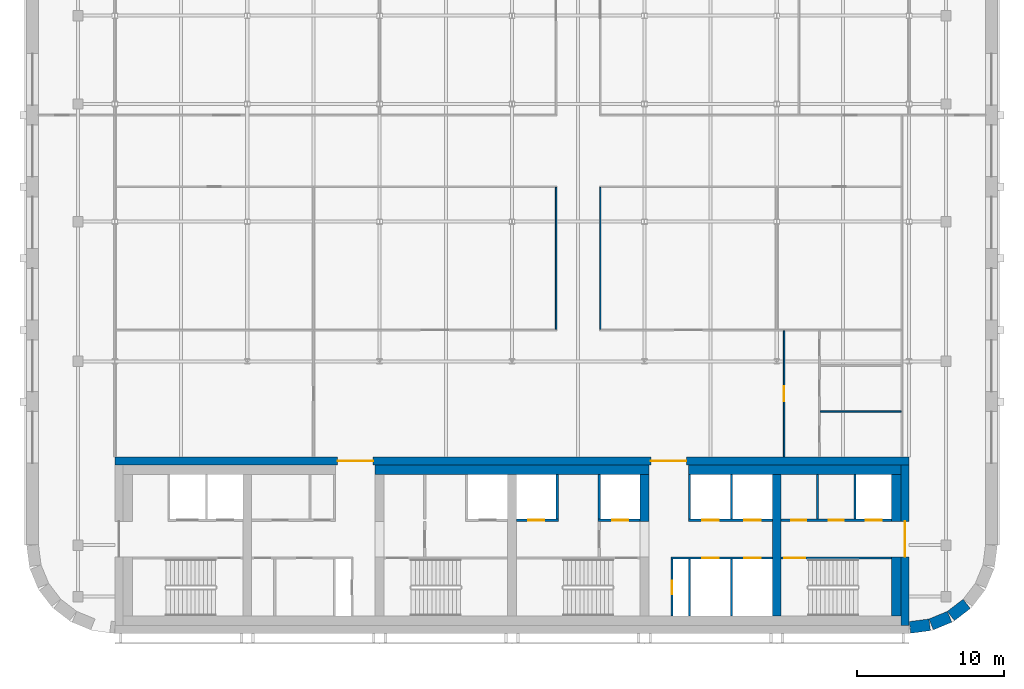
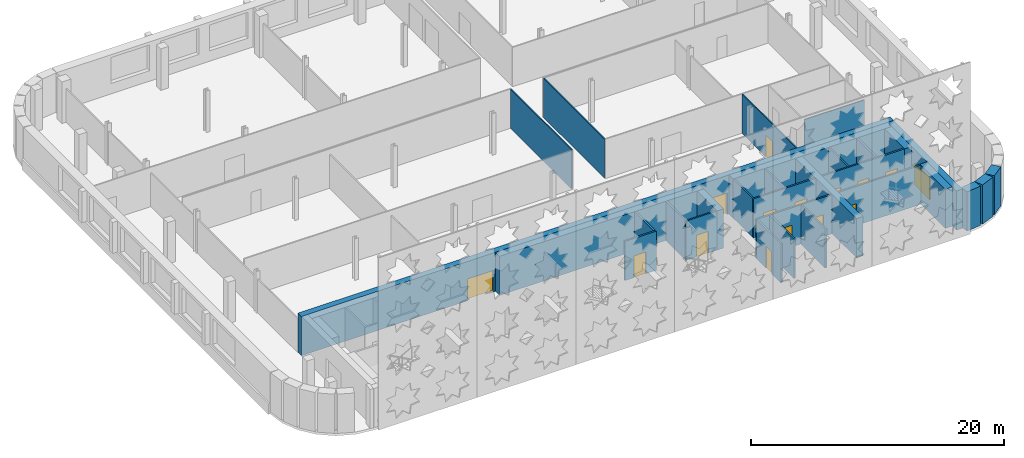
# One storey, part 8 of 14: 30 walls, 15 doors, 15 openings.
"""IFC4 building model written with IfcOpenShell, lengths in metres."""

from ifc_helpers import new_model, si_unit, direction, frame, frame_2d, origin, place, context, subcontext, project, spatial, rectangle, extrude, material, layer, layer_set, type_object, element, fill, save


model = new_model("IFC4")

# Units and contexts
model_context = context("Model", 3, precision=1e-05, world=origin(), true_north=direction((0.0, 1.0)))
body_context = subcontext(model_context, "Body", "Model", "MODEL_VIEW")
ifc_project = project(units=[si_unit("LENGTHUNIT", "METRE"), si_unit("AREAUNIT", "SQUARE_METRE"), si_unit("VOLUMEUNIT", "CUBIC_METRE"), si_unit("PLANEANGLEUNIT", "RADIAN"), si_unit("MASSUNIT", "GRAM", prefix="KILO")], contexts=[model_context])

# Site, building, storey
site_placement = place(None, origin())
site = spatial("IfcSite", under=ifc_project, at=site_placement, CompositionType="ELEMENT")
building_placement = place(site_placement, origin())
building = spatial("IfcBuilding", under=site, at=building_placement, Name="Zellij Exchange Tower", CompositionType="ELEMENT")
storey_placement = place(building_placement, frame((0.0, 0.0, 288.5)))
storey = spatial("IfcBuildingStorey", under=building, at=storey_placement, Name="L68", CompositionType="ELEMENT", Elevation=288.5)

# Walls
ifc_material_1 = material(Name="Concrete C50/60", Category="concrete")
ifc_layer_1 = layer(ifc_material_1, 0.60009765625)
ifc_layer_set_1 = layer_set([ifc_layer_1], Name="Concrete C50/60")
wall_type_1 = type_object("IfcWallType", Name="CORE-CW 600 C50/60", PredefinedType="SHEAR", material=ifc_layer_set_1)
wall_1_placement = place(storey_placement, frame((9.0, -6.375, 0.0), z_axis=(0.0, 0.0, 1.0), x_axis=(0.0, 1.0, 0.0)))
element("IfcWall", 1, at=wall_1_placement, inside=storey, type_object=wall_type_1, Name="Core cross wall pier x 9 b L68", PredefinedType="SHEAR", context=body_context, shape_type="SweptSolid", body=[
    extrude(rectangle(XDim=3.175048828125, YDim=0.60009765625, at=frame_2d((1.58740234375, 0.0))), origin(), (0.0, 0.0, 1.0), 3.780029296875),
])
wall_2_placement = place(storey_placement, frame((18.0, -12.800048828125, 0.0), z_axis=(0.0, 0.0, 1.0), x_axis=(0.0, 1.0, 0.0)))
element("IfcWall", 2, at=wall_2_placement, inside=storey, type_object=wall_type_1, Name="Core cross wall x 18 L68", PredefinedType="SHEAR", context=body_context, shape_type="SweptSolid", body=[
    extrude(rectangle(XDim=9.60009765625, YDim=0.60009765625, at=frame_2d((4.800048828125, 0.0))), origin(), (0.0, 0.0, 1.0), 3.780029296875),
])
ifc_material_2 = material(Name="Concrete C30/37", Category="concrete")
ifc_layer_2 = layer(ifc_material_2, 0.64990234375)
ifc_layer_set_2 = layer_set([ifc_layer_2], Name="Concrete C30/37")
wall_type_2 = type_object("IfcWallType", Name="CORE-LW 650 C30/37", PredefinedType="SHEAR", material=ifc_layer_set_2)
wall_3_placement = place(storey_placement, frame((-9.300048828125, -2.875, 0.0), z_axis=(0.0, 0.0, 1.0), x_axis=(1.0, 0.0, 0.0)))
element("IfcWall", 3, at=wall_3_placement, inside=storey, type_object=wall_type_2, Name="Core wall lining front.1 L68", PredefinedType="SHEAR", context=body_context, shape_type="SweptSolid", body=[
    extrude(rectangle(XDim=18.60009765625, YDim=0.64990234375, at=frame_2d((9.300048828125, 0.0))), origin(), (0.0, 0.0, 1.0), 3.780029296875),
])
wall_4_placement = place(storey_placement, frame((12.0, -2.875, 0.0), z_axis=(0.0, 0.0, 1.0), x_axis=(1.0, 0.0, 0.0)))
element("IfcWall", 4, at=wall_4_placement, inside=storey, type_object=wall_type_2, Name="Core wall lining front.2 L68", PredefinedType="SHEAR", context=body_context, shape_type="SweptSolid", body=[
    extrude(rectangle(XDim=14.449951171875, YDim=0.64990234375, at=frame_2d((7.22509765625, 0.0))), origin(), (0.0, 0.0, 1.0), 3.780029296875),
])
wall_5_placement = place(storey_placement, frame((26.125, -12.800048828125, 0.0), z_axis=(0.0, 0.0, 1.0), x_axis=(0.0, 1.0, 0.0)))
element("IfcWall", 5, at=wall_5_placement, inside=storey, type_object=wall_type_2, Name="Core wall lining end e.0 L68", PredefinedType="SHEAR", context=body_context, shape_type="SweptSolid", body=[
    extrude(rectangle(XDim=4.0, YDim=0.64990234375, at=frame_2d((2.0, 0.0))), origin(), (0.0, 0.0, 1.0), 3.780029296875),
])
wall_6_placement = place(storey_placement, frame((26.125, -6.375, 0.0), z_axis=(0.0, 0.0, 1.0), x_axis=(0.0, 1.0, 0.0)))
element("IfcWall", 6, at=wall_6_placement, inside=storey, type_object=wall_type_2, Name="Core wall lining end e.1 L68", PredefinedType="SHEAR", context=body_context, shape_type="SweptSolid", body=[
    extrude(rectangle(XDim=3.175048828125, YDim=0.64990234375, at=frame_2d((1.58740234375, 0.0))), origin(), (0.0, 0.0, 1.0), 3.780029296875),
])
ifc_material_3 = material(Name="Gypsum board partition")
ifc_layer_3 = layer(ifc_material_3, 0.14990234375)
ifc_layer_set_3 = layer_set([ifc_layer_3], Name="Gypsum board partition")
wall_type_3 = type_object("IfcWallType", Name="CORE-PW 150 Lift lobby wall", PredefinedType="PARTITIONING", material=ifc_layer_set_3)
wall_7_placement = place(storey_placement, frame((20.77490234375, -6.22509765625, 0.0), z_axis=(0.0, 0.0, 1.0), x_axis=(0.0, 1.0, 0.0)))
element("IfcWall", 7, at=wall_7_placement, inside=storey, type_object=wall_type_3, Name="Lift lobby wall L68", PredefinedType="PARTITIONING", context=body_context, shape_type="SweptSolid", body=[
    extrude(rectangle(XDim=3.025146484375, YDim=0.14990234375, at=frame_2d((1.5126953125, 0.0))), origin(), (0.0, 0.0, 1.0), 3.780029296875),
])

# Wall, opening, door
wall_8_placement = place(storey_placement, frame((10.875, -12.800048828125, 0.0), z_axis=(0.0, 0.0, 1.0), x_axis=(0.0, 1.0, 0.0)))
wall_8 = element("IfcWall", 8, at=wall_8_placement, inside=storey, type_object=wall_type_3, Name="Lift lobby wall L68", PredefinedType="PARTITIONING", context=body_context, shape_type="SweptSolid", body=[
    extrude(rectangle(XDim=3.85009765625, YDim=0.14990234375, at=frame_2d((1.925048828125, 0.0))), origin(), (0.0, 0.0, 1.0), 3.780029296875),
])
opening_1_placement = place(wall_8_placement, frame((1.47509765625, 0.0, 0.0)))
opening_1 = element("IfcOpeningElement", 9, at=opening_1_placement, cuts=wall_8, Name="Opening CA-35.19", PredefinedType="OPENING", context=body_context, shape_type="SweptSolid", body=[
    extrude(rectangle(XDim=0.89990234375, YDim=2.10009765625, at=frame_2d((0.449951171875, 1.050048828125))), frame((0.0, 0.0869140625, 0.0), z_axis=(0.0, -1.0, 0.0), x_axis=(1.0, 0.0, 0.0)), (0.0, 0.0, 1.0), 0.173828125),
])
ifc_material_4 = material(Name="Hollow metal fire door")
door_type_1 = type_object("IfcDoorType", Name="CORE-D RD Riser door 900x2100 1.5 HR", OperationType="NOTDEFINED", PredefinedType="DOOR", material=ifc_material_4)
door_1_placement = place(opening_1_placement, origin())
door_1 = element("IfcDoor", 10, at=door_1_placement, inside=storey, type_object=door_type_1, Name="Riser door CA-35.19", OperationType="SINGLE_SWING_LEFT", OverallHeight=2.10009765625, OverallWidth=0.89990234375, PredefinedType="DOOR", context=body_context, shape_type="SweptSolid", body=[
    extrude(rectangle(XDim=0.89990234375, YDim=2.10009765625, at=frame_2d((0.449951171875, 1.050048828125))), frame((0.0, 0.02490234375, 0.0), z_axis=(0.0, -1.0, 0.0), x_axis=(1.0, 0.0, 0.0)), (0.0, 0.0, 1.0), 0.050048828125),
])
fill(opening_1, door_1)

# Walls
ifc_material_5 = material(Name="Gypsum shaft wall system")
ifc_layer_4 = layer(ifc_material_5, 0.14990234375)
ifc_layer_set_4 = layer_set([ifc_layer_4], Name="Gypsum shaft wall system")
wall_type_4 = type_object("IfcWallType", Name="CORE-PW 150 Lift shaft wall", PredefinedType="PARTITIONING", material=ifc_layer_set_4)
for number, where, z_axis, x_axis, name in (
    (11, (3.074951171875, -6.22509765625, 0.0), (0.0, 0.0, 1.0), (0.0, 1.0, 0.0), "Lift shaft wall L68"),
    (12, (5.925048828125, -6.22509765625, 0.0), (0.0, 0.0, 1.0), (0.0, 1.0, 0.0), "Lift shaft wall L68"),
    (13, (12.074951171875, -6.22509765625, 0.0), (0.0, 0.0, 1.0), (0.0, 1.0, 0.0), "Lift shaft wall L68"),
    (14, (14.925048828125, -6.22509765625, 0.0), (0.0, 0.0, 1.0), (0.0, 1.0, 0.0), "Lift shaft wall L68"),
    (15, (23.324951171875, -6.22509765625, 0.0), (0.0, 0.0, 1.0), (0.0, 1.0, 0.0), "Lift shaft wall L68"),
):
    element("IfcWall", number, at=place(storey_placement, frame(where, z_axis=z_axis, x_axis=x_axis)), inside=storey, type_object=wall_type_4, Name=name, PredefinedType="PARTITIONING", context=body_context, shape_type="SweptSolid", body=[
        extrude(rectangle(XDim=3.025146484375, YDim=0.14990234375, at=frame_2d((1.5126953125, 0.0))), origin(), (0.0, 0.0, 1.0), 3.780029296875),
    ])
for number, where, z_axis, x_axis, name in (
    (16, (12.074951171875, -12.800048828125, 0.0), (0.0, 0.0, 1.0), (0.0, 1.0, 0.0), "Lift shaft wall L68"),
    (17, (14.925048828125, -12.800048828125, 0.0), (0.0, 0.0, 1.0), (0.0, 1.0, 0.0), "Lift shaft wall L68"),
):
    element("IfcWall", number, at=place(storey_placement, frame(where, z_axis=z_axis, x_axis=x_axis)), inside=storey, type_object=wall_type_4, Name=name, PredefinedType="PARTITIONING", context=body_context, shape_type="SweptSolid", body=[
        extrude(rectangle(XDim=3.85009765625, YDim=0.14990234375, at=frame_2d((1.925048828125, 0.0))), origin(), (0.0, 0.0, 1.0), 3.780029296875),
    ])

# Wall, opening, door
wall_9_placement = place(storey_placement, frame((0.300048828125, -6.300048828125, 0.0), z_axis=(0.0, 0.0, 1.0), x_axis=(1.0, 0.0, 0.0)))
wall_9 = element("IfcWall", 18, at=wall_9_placement, inside=storey, type_object=wall_type_4, Name="Lift shaft wall L68", PredefinedType="PARTITIONING", context=body_context, shape_type="SweptSolid", body=[
    extrude(rectangle(XDim=2.849853515625, YDim=0.14990234375, at=frame_2d((1.4248046875, 0.0))), origin(), (0.0, 0.0, 1.0), 3.780029296875),
])
opening_2_placement = place(wall_9_placement, frame((0.800048828125, 0.0, 0.0)))
opening_2 = element("IfcOpeningElement", 19, at=opening_2_placement, cuts=wall_9, Name="Opening CA-35.14", PredefinedType="OPENING", context=body_context, shape_type="SweptSolid", body=[
    extrude(rectangle(XDim=1.10009765625, YDim=2.10009765625, at=frame_2d((0.550048828125, 1.050048828125))), frame((0.0, 0.0869140625, 0.0), z_axis=(0.0, -1.0, 0.0), x_axis=(1.0, 0.0, 0.0)), (0.0, 0.0, 1.0), 0.173828125),
])
door_type_2 = type_object("IfcDoorType", Name="CORE-D LD Lift landing door 1100x2100 1.5 HR", OperationType="NOTDEFINED", PredefinedType="DOOR", material=ifc_material_4)
door_2_placement = place(opening_2_placement, origin())
door_2 = element("IfcDoor", 20, at=door_2_placement, inside=storey, type_object=door_type_2, Name="Lift landing door CA-35.14", OperationType="SLIDING_TO_RIGHT", OverallHeight=2.10009765625, OverallWidth=1.10009765625, PredefinedType="DOOR", context=body_context, shape_type="SweptSolid", body=[
    extrude(rectangle(XDim=1.10009765625, YDim=2.10009765625, at=frame_2d((0.550048828125, 1.050048828125))), frame((0.0, 0.02490234375, 0.0), z_axis=(0.0, -1.0, 0.0), x_axis=(1.0, 0.0, 0.0)), (0.0, 0.0, 1.0), 0.050048828125),
])
fill(opening_2, door_2)

wall_10_placement = place(storey_placement, frame((5.85009765625, -6.300048828125, 0.0), z_axis=(0.0, 0.0, 1.0), x_axis=(1.0, 0.0, 0.0)))
wall_10 = element("IfcWall", 21, at=wall_10_placement, inside=storey, type_object=wall_type_4, Name="Lift shaft wall L68", PredefinedType="PARTITIONING", context=body_context, shape_type="SweptSolid", body=[
    extrude(rectangle(XDim=2.849853515625, YDim=0.14990234375, at=frame_2d((1.4248046875, 0.0))), origin(), (0.0, 0.0, 1.0), 3.780029296875),
])
opening_3_placement = place(wall_10_placement, frame((0.949951171875, 0.0, 0.0)))
opening_3 = element("IfcOpeningElement", 22, at=opening_3_placement, cuts=wall_10, Name="Opening CA-35.16", PredefinedType="OPENING", context=body_context, shape_type="SweptSolid", body=[
    extrude(rectangle(XDim=1.10009765625, YDim=2.10009765625, at=frame_2d((0.550048828125, 1.050048828125))), frame((0.0, 0.0869140625, 0.0), z_axis=(0.0, -1.0, 0.0), x_axis=(1.0, 0.0, 0.0)), (0.0, 0.0, 1.0), 0.173828125),
])
door_3_placement = place(opening_3_placement, origin())
door_3 = element("IfcDoor", 23, at=door_3_placement, inside=storey, type_object=door_type_2, Name="Lift landing door CA-35.16", OperationType="SLIDING_TO_RIGHT", OverallHeight=2.10009765625, OverallWidth=1.10009765625, PredefinedType="DOOR", context=body_context, shape_type="SweptSolid", body=[
    extrude(rectangle(XDim=1.10009765625, YDim=2.10009765625, at=frame_2d((0.550048828125, 1.050048828125))), frame((0.0, 0.02490234375, 0.0), z_axis=(0.0, -1.0, 0.0), x_axis=(1.0, 0.0, 0.0)), (0.0, 0.0, 1.0), 0.050048828125),
])
fill(opening_3, door_3)

# Wall, openings, doors
wall_11_placement = place(storey_placement, frame((12.0, -6.300048828125, 0.0), z_axis=(0.0, 0.0, 1.0), x_axis=(1.0, 0.0, 0.0)))
wall_11 = element("IfcWall", 24, at=wall_11_placement, inside=storey, type_object=wall_type_4, Name="Lift shaft wall L68", PredefinedType="PARTITIONING", context=body_context, shape_type="SweptSolid", body=[
    extrude(rectangle(XDim=5.699951171875, YDim=0.14990234375, at=frame_2d((2.85009765625, 0.0))), origin(), (0.0, 0.0, 1.0), 3.780029296875),
])
opening_4_placement = place(wall_11_placement, frame((0.949951171875, 0.0, 0.0)))
opening_4 = element("IfcOpeningElement", 25, at=opening_4_placement, cuts=wall_11, Name="Opening CA-35.21", PredefinedType="OPENING", context=body_context, shape_type="SweptSolid", body=[
    extrude(rectangle(XDim=1.10009765625, YDim=2.10009765625, at=frame_2d((0.550048828125, 1.050048828125))), frame((0.0, 0.0869140625, 0.0), z_axis=(0.0, -1.0, 0.0), x_axis=(1.0, 0.0, 0.0)), (0.0, 0.0, 1.0), 0.173828125),
])
opening_5_placement = place(wall_11_placement, frame((3.800048828125, 0.0, 0.0)))
opening_5 = element("IfcOpeningElement", 26, at=opening_5_placement, cuts=wall_11, Name="Opening CA-35.23", PredefinedType="OPENING", context=body_context, shape_type="SweptSolid", body=[
    extrude(rectangle(XDim=1.10009765625, YDim=2.10009765625, at=frame_2d((0.550048828125, 1.050048828125))), frame((0.0, 0.0869140625, 0.0), z_axis=(0.0, -1.0, 0.0), x_axis=(1.0, 0.0, 0.0)), (0.0, 0.0, 1.0), 0.173828125),
])
door_4_placement = place(opening_4_placement, origin())
door_4 = element("IfcDoor", 27, at=door_4_placement, inside=storey, type_object=door_type_2, Name="Lift landing door CA-35.21", OperationType="SLIDING_TO_LEFT", OverallHeight=2.10009765625, OverallWidth=1.10009765625, PredefinedType="DOOR", context=body_context, shape_type="SweptSolid", body=[
    extrude(rectangle(XDim=1.10009765625, YDim=2.10009765625, at=frame_2d((0.550048828125, 1.050048828125))), frame((0.0, 0.02490234375, 0.0), z_axis=(0.0, -1.0, 0.0), x_axis=(1.0, 0.0, 0.0)), (0.0, 0.0, 1.0), 0.050048828125),
])
fill(opening_4, door_4)
door_5_placement = place(opening_5_placement, origin())
door_5 = element("IfcDoor", 28, at=door_5_placement, inside=storey, type_object=door_type_2, Name="Lift landing door CA-35.23", OperationType="SLIDING_TO_LEFT", OverallHeight=2.10009765625, OverallWidth=1.10009765625, PredefinedType="DOOR", context=body_context, shape_type="SweptSolid", body=[
    extrude(rectangle(XDim=1.10009765625, YDim=2.10009765625, at=frame_2d((0.550048828125, 1.050048828125))), frame((0.0, 0.02490234375, 0.0), z_axis=(0.0, -1.0, 0.0), x_axis=(1.0, 0.0, 0.0)), (0.0, 0.0, 1.0), 0.050048828125),
])
fill(opening_5, door_5)

wall_12_placement = place(storey_placement, frame((18.300048828125, -6.300048828125, 0.0), z_axis=(0.0, 0.0, 1.0), x_axis=(1.0, 0.0, 0.0)))
wall_12 = element("IfcWall", 29, at=wall_12_placement, inside=storey, type_object=wall_type_4, Name="Lift shaft wall L68", PredefinedType="PARTITIONING", context=body_context, shape_type="SweptSolid", body=[
    extrude(rectangle(XDim=7.5, YDim=0.14990234375, at=frame_2d((3.75, 0.0))), origin(), (0.0, 0.0, 1.0), 3.780029296875),
])
opening_6_placement = place(wall_12_placement, frame((0.699951171875, 0.0, 0.0)))
opening_6 = element("IfcOpeningElement", 30, at=opening_6_placement, cuts=wall_12, Name="Opening CA-35.25", PredefinedType="OPENING", context=body_context, shape_type="SweptSolid", body=[
    extrude(rectangle(XDim=1.0, YDim=2.10009765625, at=frame_2d((0.5, 1.050048828125))), frame((0.0, 0.0869140625, 0.0), z_axis=(0.0, -1.0, 0.0), x_axis=(1.0, 0.0, 0.0)), (0.0, 0.0, 1.0), 0.173828125),
])
opening_7_placement = place(wall_12_placement, frame((3.25, 0.0, 0.0)))
opening_7 = element("IfcOpeningElement", 31, at=opening_7_placement, cuts=wall_12, Name="Opening CA-35.26", PredefinedType="OPENING", context=body_context, shape_type="SweptSolid", body=[
    extrude(rectangle(XDim=1.0, YDim=2.10009765625, at=frame_2d((0.5, 1.050048828125))), frame((0.0, 0.0869140625, 0.0), z_axis=(0.0, -1.0, 0.0), x_axis=(1.0, 0.0, 0.0)), (0.0, 0.0, 1.0), 0.173828125),
])
opening_8_placement = place(wall_12_placement, frame((5.75, 0.0, 0.0)))
opening_8 = element("IfcOpeningElement", 32, at=opening_8_placement, cuts=wall_12, Name="Opening CA-35.27", PredefinedType="OPENING", context=body_context, shape_type="SweptSolid", body=[
    extrude(rectangle(XDim=1.10009765625, YDim=2.10009765625, at=frame_2d((0.550048828125, 1.050048828125))), frame((0.0, 0.0869140625, 0.0), z_axis=(0.0, -1.0, 0.0), x_axis=(1.0, 0.0, 0.0)), (0.0, 0.0, 1.0), 0.173828125),
])
door_type_3 = type_object("IfcDoorType", Name="CORE-D CD Core room door 1000x2100 1 HR", OperationType="NOTDEFINED", PredefinedType="DOOR", material=ifc_material_4)
door_6_placement = place(opening_6_placement, origin())
door_6 = element("IfcDoor", 33, at=door_6_placement, inside=storey, type_object=door_type_3, Name="Core room door CA-35.25", OperationType="SINGLE_SWING_LEFT", OverallHeight=2.10009765625, OverallWidth=1.0, PredefinedType="DOOR", context=body_context, shape_type="SweptSolid", body=[
    extrude(rectangle(XDim=1.0, YDim=2.10009765625, at=frame_2d((0.5, 1.050048828125))), frame((0.0, 0.02490234375, 0.0), z_axis=(0.0, -1.0, 0.0), x_axis=(1.0, 0.0, 0.0)), (0.0, 0.0, 1.0), 0.050048828125),
])
fill(opening_6, door_6)
door_7_placement = place(opening_7_placement, origin())
door_7 = element("IfcDoor", 34, at=door_7_placement, inside=storey, type_object=door_type_3, Name="Core room door CA-35.26", OperationType="SINGLE_SWING_LEFT", OverallHeight=2.10009765625, OverallWidth=1.0, PredefinedType="DOOR", context=body_context, shape_type="SweptSolid", body=[
    extrude(rectangle(XDim=1.0, YDim=2.10009765625, at=frame_2d((0.5, 1.050048828125))), frame((0.0, 0.02490234375, 0.0), z_axis=(0.0, -1.0, 0.0), x_axis=(1.0, 0.0, 0.0)), (0.0, 0.0, 1.0), 0.050048828125),
])
fill(opening_7, door_7)
door_8_placement = place(opening_8_placement, origin())
door_8 = element("IfcDoor", 35, at=door_8_placement, inside=storey, type_object=door_type_2, Name="Lift landing door CA-35.27", OperationType="SLIDING_TO_LEFT", OverallHeight=2.10009765625, OverallWidth=1.10009765625, PredefinedType="DOOR", context=body_context, shape_type="SweptSolid", body=[
    extrude(rectangle(XDim=1.10009765625, YDim=2.10009765625, at=frame_2d((0.550048828125, 1.050048828125))), frame((0.0, 0.02490234375, 0.0), z_axis=(0.0, -1.0, 0.0), x_axis=(1.0, 0.0, 0.0)), (0.0, 0.0, 1.0), 0.050048828125),
])
fill(opening_8, door_8)

wall_13_placement = place(storey_placement, frame((10.800048828125, -8.875, 0.0), z_axis=(0.0, 0.0, 1.0), x_axis=(1.0, 0.0, 0.0)))
wall_13 = element("IfcWall", 36, at=wall_13_placement, inside=storey, type_object=wall_type_4, Name="Lift shaft wall L68", PredefinedType="PARTITIONING", context=body_context, shape_type="SweptSolid", body=[
    extrude(rectangle(XDim=6.89990234375, YDim=0.14990234375, at=frame_2d((3.449951171875, 0.0))), origin(), (0.0, 0.0, 1.0), 3.780029296875),
])
opening_9_placement = place(wall_13_placement, frame((2.14990234375, 0.0, 0.0)))
opening_9 = element("IfcOpeningElement", 37, at=opening_9_placement, cuts=wall_13, Name="Opening CA-35.20", PredefinedType="OPENING", context=body_context, shape_type="SweptSolid", body=[
    extrude(rectangle(XDim=1.10009765625, YDim=2.10009765625, at=frame_2d((0.550048828125, 1.050048828125))), frame((0.0, 0.0869140625, 0.0), z_axis=(0.0, -1.0, 0.0), x_axis=(1.0, 0.0, 0.0)), (0.0, 0.0, 1.0), 0.173828125),
])
opening_10_placement = place(wall_13_placement, frame((5.0, 0.0, 0.0)))
opening_10 = element("IfcOpeningElement", 38, at=opening_10_placement, cuts=wall_13, Name="Opening CA-35.22", PredefinedType="OPENING", context=body_context, shape_type="SweptSolid", body=[
    extrude(rectangle(XDim=1.10009765625, YDim=2.10009765625, at=frame_2d((0.550048828125, 1.050048828125))), frame((0.0, 0.0869140625, 0.0), z_axis=(0.0, -1.0, 0.0), x_axis=(1.0, 0.0, 0.0)), (0.0, 0.0, 1.0), 0.173828125),
])
door_9_placement = place(opening_9_placement, origin())
door_9 = element("IfcDoor", 39, at=door_9_placement, inside=storey, type_object=door_type_2, Name="Lift landing door CA-35.20", OperationType="SLIDING_TO_RIGHT", OverallHeight=2.10009765625, OverallWidth=1.10009765625, PredefinedType="DOOR", context=body_context, shape_type="SweptSolid", body=[
    extrude(rectangle(XDim=1.10009765625, YDim=2.10009765625, at=frame_2d((0.550048828125, 1.050048828125))), frame((0.0, 0.02490234375, 0.0), z_axis=(0.0, -1.0, 0.0), x_axis=(1.0, 0.0, 0.0)), (0.0, 0.0, 1.0), 0.050048828125),
])
fill(opening_9, door_9)
door_10_placement = place(opening_10_placement, origin())
door_10 = element("IfcDoor", 40, at=door_10_placement, inside=storey, type_object=door_type_2, Name="Lift landing door CA-35.22", OperationType="SLIDING_TO_RIGHT", OverallHeight=2.10009765625, OverallWidth=1.10009765625, PredefinedType="DOOR", context=body_context, shape_type="SweptSolid", body=[
    extrude(rectangle(XDim=1.10009765625, YDim=2.10009765625, at=frame_2d((0.550048828125, 1.050048828125))), frame((0.0, 0.02490234375, 0.0), z_axis=(0.0, -1.0, 0.0), x_axis=(1.0, 0.0, 0.0)), (0.0, 0.0, 1.0), 0.050048828125),
])
fill(opening_10, door_10)

ifc_layer_5 = layer(ifc_material_1, 0.550048828125)
ifc_layer_set_5 = layer_set([ifc_layer_5], Name="Concrete C50/60")
wall_type_5 = type_object("IfcWallType", Name="CORE-SW 550 C50/60", PredefinedType="SHEAR", material=ifc_layer_set_5)
wall_14_placement = place(storey_placement, frame((-27.0, -2.27490234375, 0.0), z_axis=(0.0, 0.0, 1.0), x_axis=(1.0, 0.0, 0.0)))
wall_14 = element("IfcWall", 41, at=wall_14_placement, inside=storey, type_object=wall_type_5, Name="Core shear wall front L68", PredefinedType="SHEAR", context=body_context, shape_type="SweptSolid", body=[
    extrude(rectangle(XDim=54.0, YDim=0.550048828125, at=frame_2d((27.0, 0.0))), origin(), (0.0, 0.0, 1.0), 3.780029296875),
])
opening_11_placement = place(wall_14_placement, frame((15.14990234375, 0.0, 0.0)))
opening_11 = element("IfcOpeningElement", 42, at=opening_11_placement, cuts=wall_14, Name="Opening CA-35.10", PredefinedType="OPENING", context=body_context, shape_type="SweptSolid", body=[
    extrude(rectangle(XDim=2.39990234375, YDim=2.10009765625, at=frame_2d((1.199951171875, 1.050048828125))), frame((0.0, 0.287109375, 0.0), z_axis=(0.0, -1.0, 0.0), x_axis=(1.0, 0.0, 0.0)), (0.0, 0.0, 1.0), 0.573974609375),
])
opening_12_placement = place(wall_14_placement, frame((36.449951171875, 0.0, 0.0)))
opening_12 = element("IfcOpeningElement", 43, at=opening_12_placement, cuts=wall_14, Name="Opening CA-35.18", PredefinedType="OPENING", context=body_context, shape_type="SweptSolid", body=[
    extrude(rectangle(XDim=2.39990234375, YDim=2.10009765625, at=frame_2d((1.199951171875, 1.050048828125))), frame((0.0, 0.287109375, 0.0), z_axis=(0.0, -1.0, 0.0), x_axis=(1.0, 0.0, 0.0)), (0.0, 0.0, 1.0), 0.573974609375),
])
door_type_4 = type_object("IfcDoorType", Name="CORE-D CE Core entrance door 2400x2100 20 MIN", OperationType="NOTDEFINED", PredefinedType="DOOR", material=ifc_material_4)
door_11_placement = place(opening_11_placement, origin())
door_11 = element("IfcDoor", 44, at=door_11_placement, inside=storey, type_object=door_type_4, Name="Core entrance door CA-35.10", OperationType="DOUBLE_DOOR_SINGLE_SWING", OverallHeight=2.10009765625, OverallWidth=2.39990234375, PredefinedType="DOOR", context=body_context, shape_type="SweptSolid", body=[
    extrude(rectangle(XDim=2.39990234375, YDim=2.10009765625, at=frame_2d((1.199951171875, 1.050048828125))), frame((0.0, 0.02490234375, 0.0), z_axis=(0.0, -1.0, 0.0), x_axis=(1.0, 0.0, 0.0)), (0.0, 0.0, 1.0), 0.050048828125),
])
fill(opening_11, door_11)
door_12_placement = place(opening_12_placement, origin())
door_12 = element("IfcDoor", 45, at=door_12_placement, inside=storey, type_object=door_type_4, Name="Core entrance door CA-35.18", OperationType="DOUBLE_DOOR_SINGLE_SWING", OverallHeight=2.10009765625, OverallWidth=2.39990234375, PredefinedType="DOOR", context=body_context, shape_type="SweptSolid", body=[
    extrude(rectangle(XDim=2.39990234375, YDim=2.10009765625, at=frame_2d((1.199951171875, 1.050048828125))), frame((0.0, 0.02490234375, 0.0), z_axis=(0.0, -1.0, 0.0), x_axis=(1.0, 0.0, 0.0)), (0.0, 0.0, 1.0), 0.050048828125),
])
fill(opening_12, door_12)

# Wall, opening, door
wall_15_placement = place(storey_placement, frame((26.72509765625, -13.449951171875, 0.0), z_axis=(0.0, 0.0, 1.0), x_axis=(0.0, 1.0, 0.0)))
wall_15 = element("IfcWall", 46, at=wall_15_placement, inside=storey, type_object=wall_type_5, Name="Core shear wall end e L68", PredefinedType="SHEAR", context=body_context, shape_type="SweptSolid", body=[
    extrude(rectangle(XDim=10.89990234375, YDim=0.550048828125, at=frame_2d((5.449951171875, 0.0))), origin(), (0.0, 0.0, 1.0), 3.780029296875),
])
opening_13_placement = place(wall_15_placement, frame((4.662109375, 0.0, 0.0)))
opening_13 = element("IfcOpeningElement", 47, at=opening_13_placement, cuts=wall_15, Name="Opening CA-35.28", PredefinedType="OPENING", context=body_context, shape_type="SweptSolid", body=[
    extrude(rectangle(XDim=2.39990234375, YDim=2.10009765625, at=frame_2d((1.199951171875, 1.050048828125))), frame((0.0, 0.287109375, 0.0), z_axis=(0.0, -1.0, 0.0), x_axis=(1.0, 0.0, 0.0)), (0.0, 0.0, 1.0), 0.573974609375),
])
door_13_placement = place(opening_13_placement, origin())
door_13 = element("IfcDoor", 48, at=door_13_placement, inside=storey, type_object=door_type_4, Name="Core entrance door CA-35.28", OperationType="DOUBLE_DOOR_SINGLE_SWING", OverallHeight=2.10009765625, OverallWidth=2.39990234375, PredefinedType="DOOR", context=body_context, shape_type="SweptSolid", body=[
    extrude(rectangle(XDim=2.39990234375, YDim=2.10009765625, at=frame_2d((1.199951171875, 1.050048828125))), frame((0.0, 0.02490234375, 0.0), z_axis=(0.0, -1.0, 0.0), x_axis=(1.0, 0.0, 0.0)), (0.0, 0.0, 1.0), 0.050048828125),
])
fill(opening_13, door_13)

ifc_layer_6 = layer(ifc_material_1, 0.14990234375)
ifc_layer_set_6 = layer_set([ifc_layer_6], Name="Concrete C50/60")
wall_type_6 = type_object("IfcWallType", Name="CORE-SWS 150 C50/60", PredefinedType="SHEAR", material=ifc_layer_set_6)
wall_16_placement = place(storey_placement, frame((18.300048828125, -8.875, 0.0), z_axis=(0.0, 0.0, 1.0), x_axis=(1.0, 0.0, 0.0)))
wall_16 = element("IfcWall", 49, at=wall_16_placement, inside=storey, type_object=wall_type_6, Name="Stair enclosure wall L68", PredefinedType="SHEAR", context=body_context, shape_type="SweptSolid", body=[
    extrude(rectangle(XDim=7.5, YDim=0.14990234375, at=frame_2d((3.75, 0.0))), origin(), (0.0, 0.0, 1.0), 3.780029296875),
])
opening_14_placement = place(wall_16_placement, frame((0.22509765625, 0.0, 0.0)))
opening_14 = element("IfcOpeningElement", 50, at=opening_14_placement, cuts=wall_16, Name="Opening CA-35.24", PredefinedType="OPENING", context=body_context, shape_type="SweptSolid", body=[
    extrude(rectangle(XDim=1.39990234375, YDim=2.10009765625, at=frame_2d((0.699951171875, 1.050048828125))), frame((0.0, 0.0869140625, 0.0), z_axis=(0.0, -1.0, 0.0), x_axis=(1.0, 0.0, 0.0)), (0.0, 0.0, 1.0), 0.173828125),
])
door_type_5 = type_object("IfcDoorType", Name="CORE-D SD Stair door 1400x2100 1.5 HR", OperationType="NOTDEFINED", PredefinedType="DOOR", material=ifc_material_4)
door_14_placement = place(opening_14_placement, origin())
door_14 = element("IfcDoor", 51, at=door_14_placement, inside=storey, type_object=door_type_5, Name="Stair door CA-35.24", OperationType="DOUBLE_DOOR_SINGLE_SWING", OverallHeight=2.10009765625, OverallWidth=1.39990234375, PredefinedType="DOOR", context=body_context, shape_type="SweptSolid", body=[
    extrude(rectangle(XDim=1.39990234375, YDim=2.10009765625, at=frame_2d((0.699951171875, 1.050048828125))), frame((0.0, 0.02490234375, 0.0), z_axis=(0.0, -1.0, 0.0), x_axis=(1.0, 0.0, 0.0)), (0.0, 0.0, 1.0), 0.050048828125),
])
fill(opening_14, door_14)

# Walls
ifc_material_6 = material(Name="Precast concrete C40/50", Category="concrete")
ifc_layer_7 = layer(ifc_material_6, 0.800048828125)
ifc_layer_set_7 = layer_set([ifc_layer_7], Name="Precast concrete C40/50")
wall_type_7 = type_object("IfcWallType", Name="ENV-EW1 Precast stone-piered wall 800", PredefinedType="SOLIDWALL", material=ifc_layer_set_7)
wall_17_placement = place(storey_placement, frame((27.059326171875, -13.5888671875, 0.0), z_axis=(0.0, 0.0, 1.0), x_axis=(0.991443199569, 0.13053881426, 0.0)))
element("IfcWall", 52, at=wall_17_placement, inside=storey, type_object=wall_type_7, Name="fac.L68.01", PredefinedType="SOLIDWALL", context=body_context, shape_type="SweptSolid", body=[
    extrude(rectangle(XDim=1.348388671875, YDim=0.800048828125, at=frame_2d((0.67431640625, 0.0))), origin(), (0.0, 0.0, 1.0), 3.780029296875),
])
wall_18_placement = place(storey_placement, frame((28.497314453125, -13.3857421875, 0.0), z_axis=(0.0, 0.0, 1.0), x_axis=(0.923847774587, 0.38276009378, 0.0)))
element("IfcWall", 53, at=wall_18_placement, inside=storey, type_object=wall_type_7, Name="fac.L68.02", PredefinedType="SOLIDWALL", context=body_context, shape_type="SweptSolid", body=[
    extrude(rectangle(XDim=1.35546875, YDim=0.800048828125, at=frame_2d((0.677734375, 0.0))), origin(), (0.0, 0.0, 1.0), 3.780029296875),
])
wall_19_placement = place(storey_placement, frame((29.840087890625, -12.814697265625, 0.0), z_axis=(0.0, 0.0, 1.0), x_axis=(0.793272915452, 0.608866226366, 0.0)))
element("IfcWall", 54, at=wall_19_placement, inside=storey, type_object=wall_type_7, Name="fac.L68.03", PredefinedType="SOLIDWALL", context=body_context, shape_type="SweptSolid", body=[
    extrude(rectangle(XDim=1.355712890625, YDim=0.800048828125, at=frame_2d((0.677734375, 0.0))), origin(), (0.0, 0.0, 1.0), 3.780029296875),
])

# Wall, opening, door
ifc_material_7 = material(Name="Gypsum board partition on steel studs", Category="steel")
ifc_layer_8 = layer(ifc_material_7, 0.10009765625)
ifc_layer_set_8 = layer_set([ifc_layer_8], Name="Gypsum board partition on steel studs")
wall_type_8 = type_object("IfcWallType", Name="FIT-PARTITION-100", PredefinedType="PARTITIONING", material=ifc_layer_set_8)
wall_20_placement = place(storey_placement, frame((18.5, -2.0, 0.0), z_axis=(0.0, 0.0, 1.0), x_axis=(0.0, 1.0, 0.0)))
wall_20 = element("IfcWall", 55, at=wall_20_placement, inside=storey, type_object=wall_type_8, Name="FIT-PARTITION-100 005", PredefinedType="PARTITIONING", context=body_context, shape_type="SweptSolid", body=[
    extrude(rectangle(XDim=8.580078125, YDim=0.10009765625, at=frame_2d((4.2900390625, 0.0))), origin(), (0.0, 0.0, 1.0), 3.780029296875),
])
opening_15_placement = place(wall_20_placement, frame((3.800048828125, 0.0, 0.0)))
opening_15 = element("IfcOpeningElement", 56, at=opening_15_placement, cuts=wall_20, Name="Opening EX5.03", PredefinedType="OPENING", context=body_context, shape_type="SweptSolid", body=[
    extrude(rectangle(XDim=1.0, YDim=2.10009765625, at=frame_2d((0.5, 1.050048828125))), frame((0.0, 0.06201171875, 0.0), z_axis=(0.0, -1.0, 0.0), x_axis=(1.0, 0.0, 0.0)), (0.0, 0.0, 1.0), 0.1240234375),
])
ifc_material_8 = material(Name="Timber door set", Category="wood")
door_type_6 = type_object("IfcDoorType", Name="FIT-D2-WIDE-1000X2100", OperationType="SINGLE_SWING_LEFT", PredefinedType="DOOR", material=ifc_material_8)
door_15_placement = place(opening_15_placement, origin())
door_15 = element("IfcDoor", 57, at=door_15_placement, inside=storey, type_object=door_type_6, Name="Door EX5.03", OperationType="SINGLE_SWING_LEFT", OverallHeight=2.10009765625, OverallWidth=1.0, PredefinedType="DOOR", context=body_context, shape_type="SweptSolid", body=[
    extrude(rectangle(XDim=1.0, YDim=2.10009765625, at=frame_2d((0.5, 1.050048828125))), frame((0.0, 0.02490234375, 0.0), z_axis=(0.0, -1.0, 0.0), x_axis=(1.0, 0.0, 0.0)), (0.0, 0.0, 1.0), 0.050048828125),
])
fill(opening_15, door_15)

# Walls
wall_21_placement = place(storey_placement, frame((20.949951171875, 1.10009765625, 0.0), z_axis=(0.0, 0.0, 1.0), x_axis=(1.0, 0.0, 0.0)))
element("IfcWall", 58, at=wall_21_placement, inside=storey, type_object=wall_type_8, Name="FIT-PARTITION-100 008", PredefinedType="PARTITIONING", context=body_context, shape_type="SweptSolid", body=[
    extrude(rectangle(XDim=5.5, YDim=0.10009765625, at=frame_2d((2.75, 0.0))), origin(), (0.0, 0.0, 1.0), 3.780029296875),
])
for number, where, z_axis, x_axis, name in (
    (59, (3.0, 6.679931640625, 0.0), (0.0, 0.0, 1.0), (0.0, 1.0, 0.0), "FIT-PARTITION-100 012"),
    (60, (6.0, 6.679931640625, 0.0), (0.0, 0.0, 1.0), (0.0, 1.0, 0.0), "FIT-PARTITION-100 014"),
):
    element("IfcWall", number, at=place(storey_placement, frame(where, z_axis=z_axis, x_axis=x_axis)), inside=storey, type_object=wall_type_8, Name=name, PredefinedType="PARTITIONING", context=body_context, shape_type="SweptSolid", body=[
        extrude(rectangle(XDim=9.64013671875, YDim=0.10009765625, at=frame_2d((4.820068359375, 0.0))), origin(), (0.0, 0.0, 1.0), 3.780029296875),
    ])

save(model, "model.ifc")
